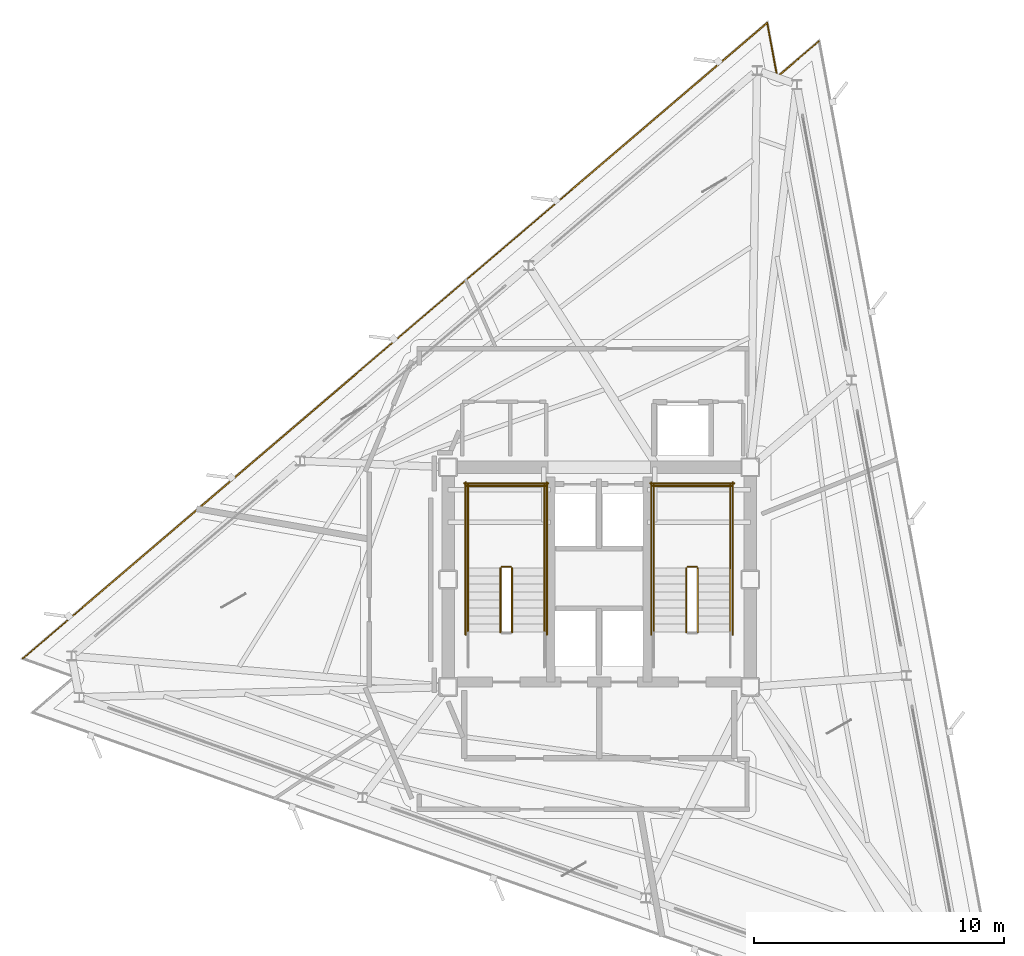
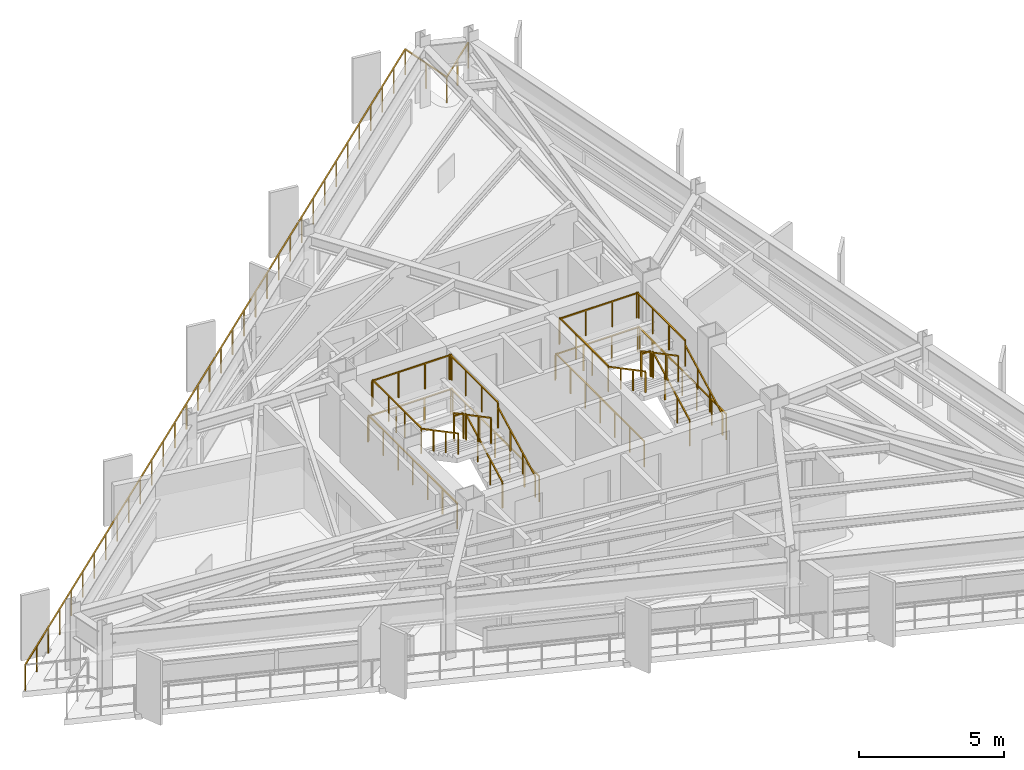
# One storey, part 13 of 14: 23 railings.
"""IFC4 building model written with IfcOpenShell, lengths in metres."""

import ifcopenshell
import ifcopenshell.guid

model = None  # the IFC model being written
_history = None  # IfcOwnerHistory: only IFC2X3 demands one
_inside = {}  # id of a spatial element -> (the spatial element, [elements in it])
_under = {}  # id of a project, library or spatial element -> (it, [spatial elements below it])
_declared = {}  # id of a project -> (the project, [libraries it declares])
_typed = {}  # id of a type object -> (the type object, [elements of that type])
_made_of = {}  # id of a material, layer set ... -> (it, [elements and type objects made of it])


def new_model(schema):
    """Start an empty IFC model of exactly this schema.

    Asked for "IFC4X3", IfcOpenShell would pick the latest addendum, in which some entities
    have other attributes; the version numbers below select the first issue.
    IFC2X3 requires an IfcOwnerHistory on every rooted entity: one is made here for all.
    """
    global model, _history
    if schema == "IFC4X3":
        model = ifcopenshell.file(schema_version=(4, 3, 0, 0))
    else:
        model = ifcopenshell.file(schema=schema)
    _inside.clear()
    _under.clear()
    _declared.clear()
    _typed.clear()
    _made_of.clear()
    _history = None
    if model.schema == "IFC2X3":
        org = make("IfcOrganization", Name="unknown")
        user = make(
            "IfcPersonAndOrganization",
            ThePerson=make("IfcPerson", FamilyName="unknown"),
            TheOrganization=org,
        )
        app = make(
            "IfcApplication",
            ApplicationDeveloper=org,
            Version="unknown",
            ApplicationFullName="unknown",
            ApplicationIdentifier="unknown",
        )
        _history = make(
            "IfcOwnerHistory",
            OwningUser=user,
            OwningApplication=app,
            ChangeAction="ADDED",
            CreationDate=0,
        )
    return model


def make(cls, **values):
    """One entity of the class cls with the attributes given. An attribute that is None is left unset."""
    return model.create_entity(
        cls, **{name: value for name, value in values.items() if value is not None}
    )


def rooted(cls, **values):
    """An entity with a GlobalId (a new one), such as an element, a storey or a relation."""
    return make(cls, GlobalId=ifcopenshell.guid.new(), OwnerHistory=_history, **values)


def si_unit(unit_type, name, prefix=None):
    """IfcSIUnit, for example si_unit("LENGTHUNIT", "METRE", prefix="MILLI")."""
    return make("IfcSIUnit", UnitType=unit_type, Prefix=prefix, Name=name)


def assignment(units):
    """IfcUnitAssignment: the units of a project."""
    return None if units is None else make("IfcUnitAssignment", Units=units)


def point(xyz):
    """IfcCartesianPoint."""
    return None if xyz is None else make("IfcCartesianPoint", Coordinates=xyz)


def direction(xyz):
    """IfcDirection."""
    return None if xyz is None else make("IfcDirection", DirectionRatios=xyz)


def frame(location, z_axis=None, x_axis=None):
    """IfcAxis2Placement3D, a coordinate frame: its origin and axes. An axis left out is left unset."""
    return make(
        "IfcAxis2Placement3D",
        Location=point(location),
        Axis=direction(z_axis),
        RefDirection=direction(x_axis),
    )


def frame_2d(location, x_axis=None):
    """IfcAxis2Placement2D, a coordinate frame in the plane: its origin and x axis."""
    return make(
        "IfcAxis2Placement2D", Location=point(location), RefDirection=direction(x_axis)
    )


def origin():
    """The frame at (0, 0, 0) with its axes left unset."""
    return frame((0.0, 0.0, 0.0))


def origin_2d():
    """The frame at (0, 0) in the plane with its x axis left unset."""
    return frame_2d((0.0, 0.0))


def place(relative_to, where):
    """IfcLocalPlacement: puts the frame where relative to a parent placement (None: the world)."""
    return make(
        "IfcLocalPlacement", PlacementRelTo=relative_to, RelativePlacement=where
    )


def context(
    kind, dimensions, precision=None, world=None, true_north=None, identifier=None
):
    """IfcGeometricRepresentationContext, for example the 3D "Model" context."""
    return make(
        "IfcGeometricRepresentationContext",
        ContextIdentifier=identifier,
        ContextType=kind,
        CoordinateSpaceDimension=dimensions,
        Precision=precision,
        WorldCoordinateSystem=world,
        TrueNorth=true_north,
    )


def subcontext(parent, identifier, kind, view, scale=None):
    """IfcGeometricRepresentationSubContext, for example "Body" below "Model"."""
    return make(
        "IfcGeometricRepresentationSubContext",
        ContextIdentifier=identifier,
        ContextType=kind,
        ParentContext=parent,
        TargetScale=scale,
        TargetView=view,
    )


def project(units=None, contexts=None):
    """IfcProject with its units and contexts."""
    return rooted(
        "IfcProject",
        Name="project",
        RepresentationContexts=contexts,
        UnitsInContext=assignment(units),
    )


def spatial(cls, under=None, at=None, **own):
    """A site, building, storey or space (cls), placed at a placement, below another one or the project."""
    s = rooted(cls, ObjectPlacement=at, **own)
    if under is not None:
        _under.setdefault(under.id(), (under, []))[1].append(s)
    return s


def profile(cls, at=None, kind="AREA", **sizes):
    """A parametric profile (cls). Its sizes go by their IFC names, for example OverallWidth=200.0."""
    return make(cls, ProfileType=kind, Position=at, **sizes)


def rectangle(**sizes):
    """IfcRectangleProfileDef."""
    return profile("IfcRectangleProfileDef", **sizes)


def extrude(swept, where, along, depth):
    """IfcExtrudedAreaSolid: the profile swept, set in the frame where, extruded along a direction by depth."""
    return make(
        "IfcExtrudedAreaSolid",
        SweptArea=swept,
        Position=where,
        ExtrudedDirection=direction(along),
        Depth=depth,
    )


def shape(context_of_items, identifier, shape_type, items):
    """IfcShapeRepresentation: the items that make up one representation, for example the "Body"."""
    return make(
        "IfcShapeRepresentation",
        ContextOfItems=context_of_items,
        RepresentationIdentifier=identifier,
        RepresentationType=shape_type,
        Items=items,
    )


def material(Name=None, Category=None):
    """IfcMaterial."""
    return make("IfcMaterial", Name=Name, Category=Category)


def layer(
    of_material, thickness, ventilated=None, Name=None, Category=None, Priority=None
):
    """IfcMaterialLayer: one layer of a wall or slab, of a material (None: an air gap)."""
    return make(
        "IfcMaterialLayer",
        Material=of_material,
        LayerThickness=thickness,
        IsVentilated=ventilated,
        Name=Name,
        Category=Category,
        Priority=Priority,
    )


def layer_set(layers, Name=None):
    """IfcMaterialLayerSet."""
    return make("IfcMaterialLayerSet", MaterialLayers=layers, LayerSetName=Name)


def made_of(thing, what):
    """Note that an element or type object is made of a material, layer set ...; save() writes the relation."""
    if what is not None:
        _made_of.setdefault(what.id(), (what, []))[1].append(thing)
    return thing


def type_object(cls, material=None, **own):
    """A type object (cls), such as IfcWallType, which elements share."""
    return made_of(rooted(cls, **own), material)


def element(
    cls,
    number,
    at=None,
    inside=None,
    cuts=None,
    type_object=None,
    material=None,
    context=None,
    identifier="Body",
    shape_type=None,
    held_by="IfcProductDefinitionShape",
    body=None,
    shapes=None,
    **own,
):
    """One element of the class cls, such as IfcWall. Its Tag is "e" and its number.

    at: its placement. inside: the storey or other place that contains it. cuts: it is an
    opening in that element (IfcRelVoidsElement). A single representation is given by context,
    identifier, shape_type and body (its items); several are given by shapes. held_by: the class
    of the entity that holds the representations. save() writes the other relations.
    """
    e = rooted(cls, Tag="e%d" % number, ObjectPlacement=at, **own)
    if body is not None:
        shapes = [shape(context, identifier, shape_type, body)]
    if shapes is not None:
        e.Representation = make(held_by, Representations=shapes)
    if inside is not None:
        _inside.setdefault(inside.id(), (inside, []))[1].append(e)
    if cuts is not None:
        rooted(
            "IfcRelVoidsElement", RelatingBuildingElement=cuts, RelatedOpeningElement=e
        )
    if type_object is not None:
        _typed.setdefault(type_object.id(), (type_object, []))[1].append(e)
    return made_of(e, material)


def aggregate(whole, parts):
    """IfcRelAggregates: a whole, such as a stair, and the parts it consists of."""
    return rooted("IfcRelAggregates", RelatingObject=whole, RelatedObjects=parts)


def save(model, path):
    """Write the relations noted so far, then the file.

    IfcRelAggregates (storeys below a building ...), IfcRelContainedInSpatialStructure (elements
    in a storey), IfcRelDefinesByType, IfcRelAssociatesMaterial and IfcRelDeclares: one each for
    every whole, place, type object, material and project.
    """
    for whole, parts in _under.values():
        aggregate(whole, parts)
    for where, things in _inside.values():
        rooted(
            "IfcRelContainedInSpatialStructure",
            RelatedElements=things,
            RelatingStructure=where,
        )
    for kind, things in _typed.values():
        rooted("IfcRelDefinesByType", RelatedObjects=things, RelatingType=kind)
    for what, things in _made_of.values():
        rooted("IfcRelAssociatesMaterial", RelatedObjects=things, RelatingMaterial=what)
    for by, libraries in _declared.values():
        rooted("IfcRelDeclares", RelatingContext=by, RelatedDefinitions=libraries)
    model.write(path)


model = new_model("IFC4")

# Units and contexts
model_context = context("Model", 3, precision=1e-05, world=origin(), true_north=direction((0.0, 1.0)))
body_context = subcontext(model_context, "Body", "Model", "MODEL_VIEW")
ifc_project = project(units=[si_unit("LENGTHUNIT", "METRE"), si_unit("AREAUNIT", "SQUARE_METRE"), si_unit("VOLUMEUNIT", "CUBIC_METRE"), si_unit("PLANEANGLEUNIT", "RADIAN"), si_unit("MASSUNIT", "GRAM", prefix="KILO")], contexts=[model_context])

# Site, building, storey
site_placement = place(None, origin())
site = spatial("IfcSite", under=ifc_project, at=site_placement, CompositionType="ELEMENT")
building_placement = place(site_placement, origin())
building = spatial("IfcBuilding", under=site, at=building_placement, Name="Rocaltana Carrier Exchange", CompositionType="ELEMENT")
storey_placement = place(building_placement, frame((0.0, 0.0, 190.56005859375)))
storey = spatial("IfcBuildingStorey", under=building, at=storey_placement, Name="L60", CompositionType="ELEMENT", Elevation=190.56005859375)

# Railings
ifc_material_1 = material(Name="Brushed Architectural Stainless Tube", Category="steel")
ifc_layer_1 = layer(ifc_material_1, 0.048095703125)
ifc_layer_set_1 = layer_set([ifc_layer_1], Name="Brushed Architectural Stainless Tube")
railing_type_1 = type_object("IfcRailingType", Name="Stair Wall Handrail 920", PredefinedType="HANDRAIL", material=ifc_layer_set_1)
railing_1_placement = place(storey_placement, frame((-2.18994140625, -2.10009765625, 0.1689453125)))
element("IfcRailing", 1, at=railing_1_placement, inside=storey, type_object=railing_type_1, Name="L60 ST-1 stair handrail 1", PredefinedType="HANDRAIL", context=body_context, shape_type="SweptSolid", body=[
    extrude(rectangle(XDim=0.048095703125, YDim=0.048095703125, at=origin_2d()), frame((0.0, 0.0, 0.8759765625), z_axis=(0.0, 0.884394423565, 0.466740295633), x_axis=(-1.0, 0.0, 0.0)), (0.0, 0.0, 1.0), 2.894775390625),
    extrude(rectangle(XDim=0.0419921875, YDim=0.0419921875, at=origin_2d()), origin(), (0.0, 0.0, 1.0), 0.851806640625),
    extrude(rectangle(XDim=0.0419921875, YDim=0.0419921875, at=origin_2d()), frame((0.0, 0.853271484375, 0.450439453125)), (0.0, 0.0, 1.0), 0.851806640625),
    extrude(rectangle(XDim=0.0419921875, YDim=0.0419921875, at=origin_2d()), frame((0.0, 1.706787109375, 0.900634765625)), (0.0, 0.0, 1.0), 0.851806640625),
    extrude(rectangle(XDim=0.0419921875, YDim=0.0419921875, at=origin_2d()), frame((0.0, 2.56005859375, 1.35107421875)), (0.0, 0.0, 1.0), 0.851806640625),
])
railing_2_placement = place(storey_placement, frame((-5.25, 0.4599609375, 1.688720703125)))
element("IfcRailing", 2, at=railing_2_placement, inside=storey, type_object=railing_type_1, Name="L60 ST-1 stair handrail 2", PredefinedType="HANDRAIL", context=body_context, shape_type="SweptSolid", body=[
    extrude(rectangle(XDim=0.048095703125, YDim=0.048095703125, at=origin_2d()), frame((0.0, 0.0, 0.8759765625), z_axis=(0.0, -0.884359608194, 0.46680625895), x_axis=(1.0, 0.0, 0.0)), (0.0, 0.0, 1.0), 2.894775390625),
    extrude(rectangle(XDim=0.0419921875, YDim=0.0419921875, at=origin_2d()), origin(), (0.0, 0.0, 1.0), 0.851806640625),
    extrude(rectangle(XDim=0.0419921875, YDim=0.0419921875, at=origin_2d()), frame((0.0, -0.853271484375, 0.450439453125)), (0.0, 0.0, 1.0), 0.851806640625),
    extrude(rectangle(XDim=0.0419921875, YDim=0.0419921875, at=origin_2d()), frame((0.0, -1.706787109375, 0.90087890625)), (0.0, 0.0, 1.0), 0.851806640625),
    extrude(rectangle(XDim=0.0419921875, YDim=0.0419921875, at=origin_2d()), frame((0.0, -2.56005859375, 1.351318359375)), (0.0, 0.0, 1.0), 0.851806640625),
])
railing_3_placement = place(storey_placement, frame((5.25, -2.10009765625, 0.1689453125)))
element("IfcRailing", 3, at=railing_3_placement, inside=storey, type_object=railing_type_1, Name="L60 ST-2 stair handrail 1", PredefinedType="HANDRAIL", context=body_context, shape_type="SweptSolid", body=[
    extrude(rectangle(XDim=0.048095703125, YDim=0.048095703125, at=origin_2d()), frame((0.0, 0.0, 0.8759765625), z_axis=(0.0, 0.884394423565, 0.466740295633), x_axis=(-1.0, 0.0, 0.0)), (0.0, 0.0, 1.0), 2.894775390625),
    extrude(rectangle(XDim=0.0419921875, YDim=0.0419921875, at=origin_2d()), origin(), (0.0, 0.0, 1.0), 0.851806640625),
    extrude(rectangle(XDim=0.0419921875, YDim=0.0419921875, at=origin_2d()), frame((0.0, 0.853271484375, 0.450439453125)), (0.0, 0.0, 1.0), 0.851806640625),
    extrude(rectangle(XDim=0.0419921875, YDim=0.0419921875, at=origin_2d()), frame((0.0, 1.706787109375, 0.900634765625)), (0.0, 0.0, 1.0), 0.851806640625),
    extrude(rectangle(XDim=0.0419921875, YDim=0.0419921875, at=origin_2d()), frame((0.0, 2.56005859375, 1.35107421875)), (0.0, 0.0, 1.0), 0.851806640625),
])
railing_4_placement = place(storey_placement, frame((2.18994140625, 0.4599609375, 1.688720703125)))
element("IfcRailing", 4, at=railing_4_placement, inside=storey, type_object=railing_type_1, Name="L60 ST-2 stair handrail 2", PredefinedType="HANDRAIL", context=body_context, shape_type="SweptSolid", body=[
    extrude(rectangle(XDim=0.048095703125, YDim=0.048095703125, at=origin_2d()), frame((0.0, 0.0, 0.8759765625), z_axis=(0.0, -0.884359608194, 0.46680625895), x_axis=(1.0, 0.0, 0.0)), (0.0, 0.0, 1.0), 2.894775390625),
    extrude(rectangle(XDim=0.0419921875, YDim=0.0419921875, at=origin_2d()), origin(), (0.0, 0.0, 1.0), 0.851806640625),
    extrude(rectangle(XDim=0.0419921875, YDim=0.0419921875, at=origin_2d()), frame((0.0, -0.853271484375, 0.450439453125)), (0.0, 0.0, 1.0), 0.851806640625),
    extrude(rectangle(XDim=0.0419921875, YDim=0.0419921875, at=origin_2d()), frame((0.0, -1.706787109375, 0.90087890625)), (0.0, 0.0, 1.0), 0.851806640625),
    extrude(rectangle(XDim=0.0419921875, YDim=0.0419921875, at=origin_2d()), frame((0.0, -2.56005859375, 1.351318359375)), (0.0, 0.0, 1.0), 0.851806640625),
])
ifc_material_2 = material(Name="Powder-Coated Aluminium 6063-T6", Category="aluminium")
ifc_layer_2 = layer(ifc_material_2, 0.048095703125)
ifc_layer_set_2 = layer_set([ifc_layer_2], Name="Powder-Coated Aluminium 6063-T6")
railing_type_2 = type_object("IfcRailingType", Name="Stair Well Guardrail 1100", PredefinedType="GUARDRAIL", material=ifc_layer_set_2)
railing_5_placement = place(storey_placement, frame((-3.489990234375, -2.10009765625, 0.1689453125)))
element("IfcRailing", 5, at=railing_5_placement, inside=storey, type_object=railing_type_2, Name="L60 ST-1 stair guard 1", PredefinedType="GUARDRAIL", context=body_context, shape_type="SweptSolid", body=[
    extrude(rectangle(XDim=0.048095703125, YDim=0.048095703125, at=origin_2d()), frame((0.0, 0.0, 1.076171875), z_axis=(0.0, 0.884394423565, 0.466740295633), x_axis=(-1.0, 0.0, 0.0)), (0.0, 0.0, 1.0), 2.894775390625),
    extrude(rectangle(XDim=0.0419921875, YDim=0.0419921875, at=origin_2d()), origin(), (0.0, 0.0, 1.0), 1.052001953125),
    extrude(rectangle(XDim=0.0419921875, YDim=0.0419921875, at=origin_2d()), frame((0.0, 0.853271484375, 0.450439453125)), (0.0, 0.0, 1.0), 1.052001953125),
    extrude(rectangle(XDim=0.0419921875, YDim=0.0419921875, at=origin_2d()), frame((0.0, 1.706787109375, 0.900634765625)), (0.0, 0.0, 1.0), 1.052001953125),
    extrude(rectangle(XDim=0.0419921875, YDim=0.0419921875, at=origin_2d()), frame((0.0, 2.56005859375, 1.35107421875)), (0.0, 0.0, 1.0), 1.052001953125),
])
railing_6_placement = place(storey_placement, frame((-3.5400390625, 0.510009765625, 1.52001953125)))
element("IfcRailing", 6, at=railing_6_placement, inside=storey, type_object=railing_type_2, Name="L60 ST-1 stair guard 2", PredefinedType="GUARDRAIL", context=body_context, shape_type="SweptSolid", body=[
    extrude(rectangle(XDim=0.048095703125, YDim=0.048095703125, at=origin_2d()), frame((0.0, 0.0, 1.076171875), z_axis=(-1.0, 0.0, 0.0), x_axis=(0.0, -1.0, 0.0)), (0.0, 0.0, 1.0), 0.35986328125),
    extrude(rectangle(XDim=0.0419921875, YDim=0.0419921875, at=origin_2d()), origin(), (0.0, 0.0, 1.0), 1.052001953125),
    extrude(rectangle(XDim=0.0419921875, YDim=0.0419921875, at=origin_2d()), frame((-0.35986328125, 0.0, 0.0)), (0.0, 0.0, 1.0), 1.052001953125),
])
for number, where, name in (
    (7, (-2.18994140625, 0.4599609375, 1.52001953125), "L60 ST-1 stair guard 3"),
    (8, (-5.25, 0.4599609375, 1.52001953125), "L60 ST-1 stair guard 4"),
):
    element("IfcRailing", number, at=place(storey_placement, frame(where)), inside=storey, type_object=railing_type_2, Name=name, PredefinedType="GUARDRAIL", context=body_context, shape_type="SweptSolid", body=[
        extrude(rectangle(XDim=0.048095703125, YDim=0.048095703125, at=origin_2d()), frame((0.0, 0.0, 1.076171875), z_axis=(0.0, 1.0, 0.0), x_axis=(-1.0, 0.0, 0.0)), (0.0, 0.0, 1.0), 3.340087890625),
        extrude(rectangle(XDim=0.0419921875, YDim=0.0419921875, at=origin_2d()), origin(), (0.0, 0.0, 1.0), 1.052001953125),
        extrude(rectangle(XDim=0.0419921875, YDim=0.0419921875, at=origin_2d()), frame((0.0, 1.11328125, 0.0)), (0.0, 0.0, 1.0), 1.052001953125),
        extrude(rectangle(XDim=0.0419921875, YDim=0.0419921875, at=origin_2d()), frame((0.0, 2.226806640625, 0.0)), (0.0, 0.0, 1.0), 1.052001953125),
        extrude(rectangle(XDim=0.0419921875, YDim=0.0419921875, at=origin_2d()), frame((0.0, 3.340087890625, 0.0)), (0.0, 0.0, 1.0), 1.052001953125),
    ])
railing_7_placement = place(storey_placement, frame((-2.139892578125, 3.75, 1.52001953125)))
element("IfcRailing", 9, at=railing_7_placement, inside=storey, type_object=railing_type_2, Name="L60 ST-1 stair guard 5", PredefinedType="GUARDRAIL", context=body_context, shape_type="SweptSolid", body=[
    extrude(rectangle(XDim=0.048095703125, YDim=0.048095703125, at=origin_2d()), frame((0.0, 0.0, 1.076171875), z_axis=(-1.0, 0.0, 0.0), x_axis=(0.0, -1.0, 0.0)), (0.0, 0.0, 1.0), 3.16015625),
    extrude(rectangle(XDim=0.0419921875, YDim=0.0419921875, at=origin_2d()), origin(), (0.0, 0.0, 1.0), 1.052001953125),
    extrude(rectangle(XDim=0.0419921875, YDim=0.0419921875, at=origin_2d()), frame((-1.053466796875, 0.0, 0.0)), (0.0, 0.0, 1.0), 1.052001953125),
    extrude(rectangle(XDim=0.0419921875, YDim=0.0419921875, at=origin_2d()), frame((-2.106689453125, 0.0, 0.0)), (0.0, 0.0, 1.0), 1.052001953125),
    extrude(rectangle(XDim=0.0419921875, YDim=0.0419921875, at=origin_2d()), frame((-3.16015625, 0.0, 0.0)), (0.0, 0.0, 1.0), 1.052001953125),
])
railing_8_placement = place(storey_placement, frame((-3.949951171875, 0.4599609375, 1.688720703125)))
element("IfcRailing", 10, at=railing_8_placement, inside=storey, type_object=railing_type_2, Name="L60 ST-1 stair guard 6", PredefinedType="GUARDRAIL", context=body_context, shape_type="SweptSolid", body=[
    extrude(rectangle(XDim=0.048095703125, YDim=0.048095703125, at=origin_2d()), frame((0.0, 0.0, 1.076171875), z_axis=(0.0, -0.884359608194, 0.46680625895), x_axis=(1.0, 0.0, 0.0)), (0.0, 0.0, 1.0), 2.894775390625),
    extrude(rectangle(XDim=0.0419921875, YDim=0.0419921875, at=origin_2d()), origin(), (0.0, 0.0, 1.0), 1.052001953125),
    extrude(rectangle(XDim=0.0419921875, YDim=0.0419921875, at=origin_2d()), frame((0.0, -0.853271484375, 0.450439453125)), (0.0, 0.0, 1.0), 1.052001953125),
    extrude(rectangle(XDim=0.0419921875, YDim=0.0419921875, at=origin_2d()), frame((0.0, -1.706787109375, 0.90087890625)), (0.0, 0.0, 1.0), 1.052001953125),
    extrude(rectangle(XDim=0.0419921875, YDim=0.0419921875, at=origin_2d()), frame((0.0, -2.56005859375, 1.351318359375)), (0.0, 0.0, 1.0), 1.052001953125),
])
for number, where, name in (
    (11, (-2.090087890625, -2.199951171875, 0.0), "L60 ST-1 stair guard 10"),
    (12, (-5.35009765625, -2.199951171875, 0.0), "L60 ST-1 stair guard 11"),
):
    element("IfcRailing", number, at=place(storey_placement, frame(where)), inside=storey, type_object=railing_type_2, Name=name, PredefinedType="GUARDRAIL", context=body_context, shape_type="SweptSolid", body=[
        extrude(rectangle(XDim=0.048095703125, YDim=0.048095703125, at=origin_2d()), frame((0.0, 0.0, 1.076171875), z_axis=(0.0, 1.0, 0.0), x_axis=(-1.0, 0.0, 0.0)), (0.0, 0.0, 1.0), 6.099853515625),
        extrude(rectangle(XDim=0.0419921875, YDim=0.0419921875, at=origin_2d()), origin(), (0.0, 0.0, 1.0), 1.052001953125),
        extrude(rectangle(XDim=0.0419921875, YDim=0.0419921875, at=origin_2d()), frame((0.0, 1.0166015625, 0.0)), (0.0, 0.0, 1.0), 1.052001953125),
        extrude(rectangle(XDim=0.0419921875, YDim=0.0419921875, at=origin_2d()), frame((0.0, 2.033203125, 0.0)), (0.0, 0.0, 1.0), 1.052001953125),
        extrude(rectangle(XDim=0.0419921875, YDim=0.0419921875, at=origin_2d()), frame((0.0, 3.0498046875, 0.0)), (0.0, 0.0, 1.0), 1.052001953125),
        extrude(rectangle(XDim=0.0419921875, YDim=0.0419921875, at=origin_2d()), frame((0.0, 4.066650390625, 0.0)), (0.0, 0.0, 1.0), 1.052001953125),
        extrude(rectangle(XDim=0.0419921875, YDim=0.0419921875, at=origin_2d()), frame((0.0, 5.083251953125, 0.0)), (0.0, 0.0, 1.0), 1.052001953125),
        extrude(rectangle(XDim=0.0419921875, YDim=0.0419921875, at=origin_2d()), frame((0.0, 6.099853515625, 0.0)), (0.0, 0.0, 1.0), 1.052001953125),
    ])
railing_9_placement = place(storey_placement, frame((-2.0400390625, 3.85009765625, 0.0)))
element("IfcRailing", 13, at=railing_9_placement, inside=storey, type_object=railing_type_2, Name="L60 ST-1 stair guard 12", PredefinedType="GUARDRAIL", context=body_context, shape_type="SweptSolid", body=[
    extrude(rectangle(XDim=0.048095703125, YDim=0.048095703125, at=origin_2d()), frame((0.0, 0.0, 1.076171875), z_axis=(-1.0, 0.0, 0.0), x_axis=(0.0, -1.0, 0.0)), (0.0, 0.0, 1.0), 3.35986328125),
    extrude(rectangle(XDim=0.0419921875, YDim=0.0419921875, at=origin_2d()), origin(), (0.0, 0.0, 1.0), 1.052001953125),
    extrude(rectangle(XDim=0.0419921875, YDim=0.0419921875, at=origin_2d()), frame((-1.119873046875, 0.0, 0.0)), (0.0, 0.0, 1.0), 1.052001953125),
    extrude(rectangle(XDim=0.0419921875, YDim=0.0419921875, at=origin_2d()), frame((-2.239990234375, 0.0, 0.0)), (0.0, 0.0, 1.0), 1.052001953125),
    extrude(rectangle(XDim=0.0419921875, YDim=0.0419921875, at=origin_2d()), frame((-3.35986328125, 0.0, 0.0)), (0.0, 0.0, 1.0), 1.052001953125),
])
railing_10_placement = place(storey_placement, frame((3.949951171875, -2.10009765625, 0.1689453125)))
element("IfcRailing", 14, at=railing_10_placement, inside=storey, type_object=railing_type_2, Name="L60 ST-2 stair guard 1", PredefinedType="GUARDRAIL", context=body_context, shape_type="SweptSolid", body=[
    extrude(rectangle(XDim=0.048095703125, YDim=0.048095703125, at=origin_2d()), frame((0.0, 0.0, 1.076171875), z_axis=(0.0, 0.884394423565, 0.466740295633), x_axis=(-1.0, 0.0, 0.0)), (0.0, 0.0, 1.0), 2.894775390625),
    extrude(rectangle(XDim=0.0419921875, YDim=0.0419921875, at=origin_2d()), origin(), (0.0, 0.0, 1.0), 1.052001953125),
    extrude(rectangle(XDim=0.0419921875, YDim=0.0419921875, at=origin_2d()), frame((0.0, 0.853271484375, 0.450439453125)), (0.0, 0.0, 1.0), 1.052001953125),
    extrude(rectangle(XDim=0.0419921875, YDim=0.0419921875, at=origin_2d()), frame((0.0, 1.706787109375, 0.900634765625)), (0.0, 0.0, 1.0), 1.052001953125),
    extrude(rectangle(XDim=0.0419921875, YDim=0.0419921875, at=origin_2d()), frame((0.0, 2.56005859375, 1.35107421875)), (0.0, 0.0, 1.0), 1.052001953125),
])
railing_11_placement = place(storey_placement, frame((3.89990234375, 0.510009765625, 1.52001953125)))
element("IfcRailing", 15, at=railing_11_placement, inside=storey, type_object=railing_type_2, Name="L60 ST-2 stair guard 2", PredefinedType="GUARDRAIL", context=body_context, shape_type="SweptSolid", body=[
    extrude(rectangle(XDim=0.048095703125, YDim=0.048095703125, at=origin_2d()), frame((0.0, 0.0, 1.076171875), z_axis=(-1.0, 0.0, 0.0), x_axis=(0.0, -1.0, 0.0)), (0.0, 0.0, 1.0), 0.35986328125),
    extrude(rectangle(XDim=0.0419921875, YDim=0.0419921875, at=origin_2d()), origin(), (0.0, 0.0, 1.0), 1.052001953125),
    extrude(rectangle(XDim=0.0419921875, YDim=0.0419921875, at=origin_2d()), frame((-0.35986328125, 0.0, 0.0)), (0.0, 0.0, 1.0), 1.052001953125),
])
for number, where, name in (
    (16, (5.25, 0.4599609375, 1.52001953125), "L60 ST-2 stair guard 3"),
    (17, (2.18994140625, 0.4599609375, 1.52001953125), "L60 ST-2 stair guard 4"),
):
    element("IfcRailing", number, at=place(storey_placement, frame(where)), inside=storey, type_object=railing_type_2, Name=name, PredefinedType="GUARDRAIL", context=body_context, shape_type="SweptSolid", body=[
        extrude(rectangle(XDim=0.048095703125, YDim=0.048095703125, at=origin_2d()), frame((0.0, 0.0, 1.076171875), z_axis=(0.0, 1.0, 0.0), x_axis=(-1.0, 0.0, 0.0)), (0.0, 0.0, 1.0), 3.340087890625),
        extrude(rectangle(XDim=0.0419921875, YDim=0.0419921875, at=origin_2d()), origin(), (0.0, 0.0, 1.0), 1.052001953125),
        extrude(rectangle(XDim=0.0419921875, YDim=0.0419921875, at=origin_2d()), frame((0.0, 1.11328125, 0.0)), (0.0, 0.0, 1.0), 1.052001953125),
        extrude(rectangle(XDim=0.0419921875, YDim=0.0419921875, at=origin_2d()), frame((0.0, 2.226806640625, 0.0)), (0.0, 0.0, 1.0), 1.052001953125),
        extrude(rectangle(XDim=0.0419921875, YDim=0.0419921875, at=origin_2d()), frame((0.0, 3.340087890625, 0.0)), (0.0, 0.0, 1.0), 1.052001953125),
    ])
railing_12_placement = place(storey_placement, frame((5.300048828125, 3.75, 1.52001953125)))
element("IfcRailing", 18, at=railing_12_placement, inside=storey, type_object=railing_type_2, Name="L60 ST-2 stair guard 5", PredefinedType="GUARDRAIL", context=body_context, shape_type="SweptSolid", body=[
    extrude(rectangle(XDim=0.048095703125, YDim=0.048095703125, at=origin_2d()), frame((0.0, 0.0, 1.076171875), z_axis=(-1.0, 0.0, 0.0), x_axis=(0.0, -1.0, 0.0)), (0.0, 0.0, 1.0), 3.16015625),
    extrude(rectangle(XDim=0.0419921875, YDim=0.0419921875, at=origin_2d()), origin(), (0.0, 0.0, 1.0), 1.052001953125),
    extrude(rectangle(XDim=0.0419921875, YDim=0.0419921875, at=origin_2d()), frame((-1.053466796875, 0.0, 0.0)), (0.0, 0.0, 1.0), 1.052001953125),
    extrude(rectangle(XDim=0.0419921875, YDim=0.0419921875, at=origin_2d()), frame((-2.106689453125, 0.0, 0.0)), (0.0, 0.0, 1.0), 1.052001953125),
    extrude(rectangle(XDim=0.0419921875, YDim=0.0419921875, at=origin_2d()), frame((-3.16015625, 0.0, 0.0)), (0.0, 0.0, 1.0), 1.052001953125),
])
railing_13_placement = place(storey_placement, frame((3.489990234375, 0.4599609375, 1.688720703125)))
element("IfcRailing", 19, at=railing_13_placement, inside=storey, type_object=railing_type_2, Name="L60 ST-2 stair guard 6", PredefinedType="GUARDRAIL", context=body_context, shape_type="SweptSolid", body=[
    extrude(rectangle(XDim=0.048095703125, YDim=0.048095703125, at=origin_2d()), frame((0.0, 0.0, 1.076171875), z_axis=(0.0, -0.884359608194, 0.46680625895), x_axis=(1.0, 0.0, 0.0)), (0.0, 0.0, 1.0), 2.894775390625),
    extrude(rectangle(XDim=0.0419921875, YDim=0.0419921875, at=origin_2d()), origin(), (0.0, 0.0, 1.0), 1.052001953125),
    extrude(rectangle(XDim=0.0419921875, YDim=0.0419921875, at=origin_2d()), frame((0.0, -0.853271484375, 0.450439453125)), (0.0, 0.0, 1.0), 1.052001953125),
    extrude(rectangle(XDim=0.0419921875, YDim=0.0419921875, at=origin_2d()), frame((0.0, -1.706787109375, 0.90087890625)), (0.0, 0.0, 1.0), 1.052001953125),
    extrude(rectangle(XDim=0.0419921875, YDim=0.0419921875, at=origin_2d()), frame((0.0, -2.56005859375, 1.351318359375)), (0.0, 0.0, 1.0), 1.052001953125),
])
for number, where, name in (
    (20, (5.35009765625, -2.199951171875, 0.0), "L60 ST-2 stair guard 10"),
    (21, (2.090087890625, -2.199951171875, 0.0), "L60 ST-2 stair guard 11"),
):
    element("IfcRailing", number, at=place(storey_placement, frame(where)), inside=storey, type_object=railing_type_2, Name=name, PredefinedType="GUARDRAIL", context=body_context, shape_type="SweptSolid", body=[
        extrude(rectangle(XDim=0.048095703125, YDim=0.048095703125, at=origin_2d()), frame((0.0, 0.0, 1.076171875), z_axis=(0.0, 1.0, 0.0), x_axis=(-1.0, 0.0, 0.0)), (0.0, 0.0, 1.0), 6.099853515625),
        extrude(rectangle(XDim=0.0419921875, YDim=0.0419921875, at=origin_2d()), origin(), (0.0, 0.0, 1.0), 1.052001953125),
        extrude(rectangle(XDim=0.0419921875, YDim=0.0419921875, at=origin_2d()), frame((0.0, 1.0166015625, 0.0)), (0.0, 0.0, 1.0), 1.052001953125),
        extrude(rectangle(XDim=0.0419921875, YDim=0.0419921875, at=origin_2d()), frame((0.0, 2.033203125, 0.0)), (0.0, 0.0, 1.0), 1.052001953125),
        extrude(rectangle(XDim=0.0419921875, YDim=0.0419921875, at=origin_2d()), frame((0.0, 3.0498046875, 0.0)), (0.0, 0.0, 1.0), 1.052001953125),
        extrude(rectangle(XDim=0.0419921875, YDim=0.0419921875, at=origin_2d()), frame((0.0, 4.066650390625, 0.0)), (0.0, 0.0, 1.0), 1.052001953125),
        extrude(rectangle(XDim=0.0419921875, YDim=0.0419921875, at=origin_2d()), frame((0.0, 5.083251953125, 0.0)), (0.0, 0.0, 1.0), 1.052001953125),
        extrude(rectangle(XDim=0.0419921875, YDim=0.0419921875, at=origin_2d()), frame((0.0, 6.099853515625, 0.0)), (0.0, 0.0, 1.0), 1.052001953125),
    ])
railing_14_placement = place(storey_placement, frame((5.39990234375, 3.85009765625, 0.0)))
element("IfcRailing", 22, at=railing_14_placement, inside=storey, type_object=railing_type_2, Name="L60 ST-2 stair guard 12", PredefinedType="GUARDRAIL", context=body_context, shape_type="SweptSolid", body=[
    extrude(rectangle(XDim=0.048095703125, YDim=0.048095703125, at=origin_2d()), frame((0.0, 0.0, 1.076171875), z_axis=(-1.0, 0.0, 0.0), x_axis=(0.0, -1.0, 0.0)), (0.0, 0.0, 1.0), 3.35986328125),
    extrude(rectangle(XDim=0.0419921875, YDim=0.0419921875, at=origin_2d()), origin(), (0.0, 0.0, 1.0), 1.052001953125),
    extrude(rectangle(XDim=0.0419921875, YDim=0.0419921875, at=origin_2d()), frame((-1.119873046875, 0.0, 0.0)), (0.0, 0.0, 1.0), 1.052001953125),
    extrude(rectangle(XDim=0.0419921875, YDim=0.0419921875, at=origin_2d()), frame((-2.239990234375, 0.0, 0.0)), (0.0, 0.0, 1.0), 1.052001953125),
    extrude(rectangle(XDim=0.0419921875, YDim=0.0419921875, at=origin_2d()), frame((-3.35986328125, 0.0, 0.0)), (0.0, 0.0, 1.0), 1.052001953125),
])
ifc_material_3 = material(Name="Powder-Coated Aluminium 6063-T6", Category="aluminium")
ifc_layer_3 = layer(ifc_material_3, 0.06005859375)
ifc_layer_set_3 = layer_set([ifc_layer_3], Name="Powder-Coated Aluminium 6063-T6")
railing_type_3 = type_object("IfcRailingType", Name="Wind-Floor & Terrace Perimeter Guardrail 1100", PredefinedType="GUARDRAIL", material=ifc_layer_set_3)
railing_15_placement = place(storey_placement, frame((-23.073486328125, -3.15771484375, 0.0)))
element("IfcRailing", 23, at=railing_15_placement, inside=storey, type_object=railing_type_3, Name="L60 Perimeter Balcony Guardrail 2", PredefinedType="GUARDRAIL", context=body_context, shape_type="SweptSolid", body=[
    extrude(rectangle(XDim=0.048095703125, YDim=0.048095703125, at=origin_2d()), frame((0.0, 0.0, 1.076171875), z_axis=(0.760402646587, 0.649451934375, 0.0), x_axis=(-0.649451934375, 0.760402646587, 0.0)), (0.0, 0.0, 1.0), 39.192138671875),
    extrude(rectangle(XDim=0.048095703125, YDim=0.048095703125, at=origin_2d()), frame((29.8017578125, 25.453369140625, 1.076171875), z_axis=(0.182204491792, -0.983260658814, 0.0), x_axis=(0.983260658814, 0.182204491792, 0.0)), (0.0, 0.0, 1.0), 2.2001953125),
    extrude(rectangle(XDim=0.048095703125, YDim=0.048095703125, at=origin_2d()), frame((30.20263671875, 23.2900390625, 1.076171875), z_axis=(0.760359977453, 0.649501889672, 0.0), x_axis=(-0.649501889672, 0.760359977453, 0.0)), (0.0, 0.0, 1.0), 2.2001953125),
    extrude(rectangle(XDim=0.0419921875, YDim=0.0419921875, at=origin_2d()), origin(), (0.0, 0.0, 1.0), 1.052001953125),
    extrude(rectangle(XDim=0.0419921875, YDim=0.0419921875, at=origin_2d()), frame((0.903076171875, 0.771240234375, 0.0)), (0.0, 0.0, 1.0), 1.052001953125),
    extrude(rectangle(XDim=0.0419921875, YDim=0.0419921875, at=origin_2d()), frame((1.80615234375, 1.542724609375, 0.0)), (0.0, 0.0, 1.0), 1.052001953125),
    extrude(rectangle(XDim=0.0419921875, YDim=0.0419921875, at=origin_2d()), frame((2.709228515625, 2.31396484375, 0.0)), (0.0, 0.0, 1.0), 1.052001953125),
    extrude(rectangle(XDim=0.0419921875, YDim=0.0419921875, at=origin_2d()), frame((3.6123046875, 3.085205078125, 0.0)), (0.0, 0.0, 1.0), 1.052001953125),
    extrude(rectangle(XDim=0.0419921875, YDim=0.0419921875, at=origin_2d()), frame((4.515380859375, 3.856689453125, 0.0)), (0.0, 0.0, 1.0), 1.052001953125),
    extrude(rectangle(XDim=0.0419921875, YDim=0.0419921875, at=origin_2d()), frame((5.41845703125, 4.6279296875, 0.0)), (0.0, 0.0, 1.0), 1.052001953125),
    extrude(rectangle(XDim=0.0419921875, YDim=0.0419921875, at=origin_2d()), frame((6.321533203125, 5.399169921875, 0.0)), (0.0, 0.0, 1.0), 1.052001953125),
    extrude(rectangle(XDim=0.0419921875, YDim=0.0419921875, at=origin_2d()), frame((7.224609375, 6.17041015625, 0.0)), (0.0, 0.0, 1.0), 1.052001953125),
    extrude(rectangle(XDim=0.0419921875, YDim=0.0419921875, at=origin_2d()), frame((8.127685546875, 6.94189453125, 0.0)), (0.0, 0.0, 1.0), 1.052001953125),
    extrude(rectangle(XDim=0.0419921875, YDim=0.0419921875, at=origin_2d()), frame((9.03076171875, 7.713134765625, 0.0)), (0.0, 0.0, 1.0), 1.052001953125),
    extrude(rectangle(XDim=0.0419921875, YDim=0.0419921875, at=origin_2d()), frame((9.933837890625, 8.484375, 0.0)), (0.0, 0.0, 1.0), 1.052001953125),
    extrude(rectangle(XDim=0.0419921875, YDim=0.0419921875, at=origin_2d()), frame((10.8369140625, 9.255859375, 0.0)), (0.0, 0.0, 1.0), 1.052001953125),
    extrude(rectangle(XDim=0.0419921875, YDim=0.0419921875, at=origin_2d()), frame((11.739990234375, 10.027099609375, 0.0)), (0.0, 0.0, 1.0), 1.052001953125),
    extrude(rectangle(XDim=0.0419921875, YDim=0.0419921875, at=origin_2d()), frame((12.64306640625, 10.79833984375, 0.0)), (0.0, 0.0, 1.0), 1.052001953125),
    extrude(rectangle(XDim=0.0419921875, YDim=0.0419921875, at=origin_2d()), frame((13.546142578125, 11.56982421875, 0.0)), (0.0, 0.0, 1.0), 1.052001953125),
    extrude(rectangle(XDim=0.0419921875, YDim=0.0419921875, at=origin_2d()), frame((14.44921875, 12.341064453125, 0.0)), (0.0, 0.0, 1.0), 1.052001953125),
    extrude(rectangle(XDim=0.0419921875, YDim=0.0419921875, at=origin_2d()), frame((15.3525390625, 13.1123046875, 0.0)), (0.0, 0.0, 1.0), 1.052001953125),
    extrude(rectangle(XDim=0.0419921875, YDim=0.0419921875, at=origin_2d()), frame((16.255615234375, 13.883544921875, 0.0)), (0.0, 0.0, 1.0), 1.052001953125),
    extrude(rectangle(XDim=0.0419921875, YDim=0.0419921875, at=origin_2d()), frame((17.15869140625, 14.655029296875, 0.0)), (0.0, 0.0, 1.0), 1.052001953125),
    extrude(rectangle(XDim=0.0419921875, YDim=0.0419921875, at=origin_2d()), frame((18.061767578125, 15.42626953125, 0.0)), (0.0, 0.0, 1.0), 1.052001953125),
    extrude(rectangle(XDim=0.0419921875, YDim=0.0419921875, at=origin_2d()), frame((18.96484375, 16.197509765625, 0.0)), (0.0, 0.0, 1.0), 1.052001953125),
    extrude(rectangle(XDim=0.0419921875, YDim=0.0419921875, at=origin_2d()), frame((19.867919921875, 16.968994140625, 0.0)), (0.0, 0.0, 1.0), 1.052001953125),
    extrude(rectangle(XDim=0.0419921875, YDim=0.0419921875, at=origin_2d()), frame((20.77099609375, 17.740234375, 0.0)), (0.0, 0.0, 1.0), 1.052001953125),
    extrude(rectangle(XDim=0.0419921875, YDim=0.0419921875, at=origin_2d()), frame((21.674072265625, 18.511474609375, 0.0)), (0.0, 0.0, 1.0), 1.052001953125),
    extrude(rectangle(XDim=0.0419921875, YDim=0.0419921875, at=origin_2d()), frame((22.5771484375, 19.282958984375, 0.0)), (0.0, 0.0, 1.0), 1.052001953125),
    extrude(rectangle(XDim=0.0419921875, YDim=0.0419921875, at=origin_2d()), frame((23.480224609375, 20.05419921875, 0.0)), (0.0, 0.0, 1.0), 1.052001953125),
    extrude(rectangle(XDim=0.0419921875, YDim=0.0419921875, at=origin_2d()), frame((24.38330078125, 20.825439453125, 0.0)), (0.0, 0.0, 1.0), 1.052001953125),
    extrude(rectangle(XDim=0.0419921875, YDim=0.0419921875, at=origin_2d()), frame((25.286376953125, 21.5966796875, 0.0)), (0.0, 0.0, 1.0), 1.052001953125),
    extrude(rectangle(XDim=0.0419921875, YDim=0.0419921875, at=origin_2d()), frame((26.189453125, 22.3681640625, 0.0)), (0.0, 0.0, 1.0), 1.052001953125),
    extrude(rectangle(XDim=0.0419921875, YDim=0.0419921875, at=origin_2d()), frame((27.092529296875, 23.139404296875, 0.0)), (0.0, 0.0, 1.0), 1.052001953125),
    extrude(rectangle(XDim=0.0419921875, YDim=0.0419921875, at=origin_2d()), frame((27.99560546875, 23.91064453125, 0.0)), (0.0, 0.0, 1.0), 1.052001953125),
    extrude(rectangle(XDim=0.0419921875, YDim=0.0419921875, at=origin_2d()), frame((28.898681640625, 24.68212890625, 0.0)), (0.0, 0.0, 1.0), 1.052001953125),
    extrude(rectangle(XDim=0.0419921875, YDim=0.0419921875, at=origin_2d()), frame((29.8017578125, 25.453369140625, 0.0)), (0.0, 0.0, 1.0), 1.052001953125),
    extrude(rectangle(XDim=0.0419921875, YDim=0.0419921875, at=origin_2d()), frame((30.002197265625, 24.37158203125, 0.0)), (0.0, 0.0, 1.0), 1.052001953125),
    extrude(rectangle(XDim=0.0419921875, YDim=0.0419921875, at=origin_2d()), frame((30.20263671875, 23.2900390625, 0.0)), (0.0, 0.0, 1.0), 1.052001953125),
    extrude(rectangle(XDim=0.0419921875, YDim=0.0419921875, at=origin_2d()), frame((31.0390625, 24.00439453125, 0.0)), (0.0, 0.0, 1.0), 1.052001953125),
    extrude(rectangle(XDim=0.0419921875, YDim=0.0419921875, at=origin_2d()), frame((31.87548828125, 24.718994140625, 0.0)), (0.0, 0.0, 1.0), 1.052001953125),
])

save(model, "model.ifc")
